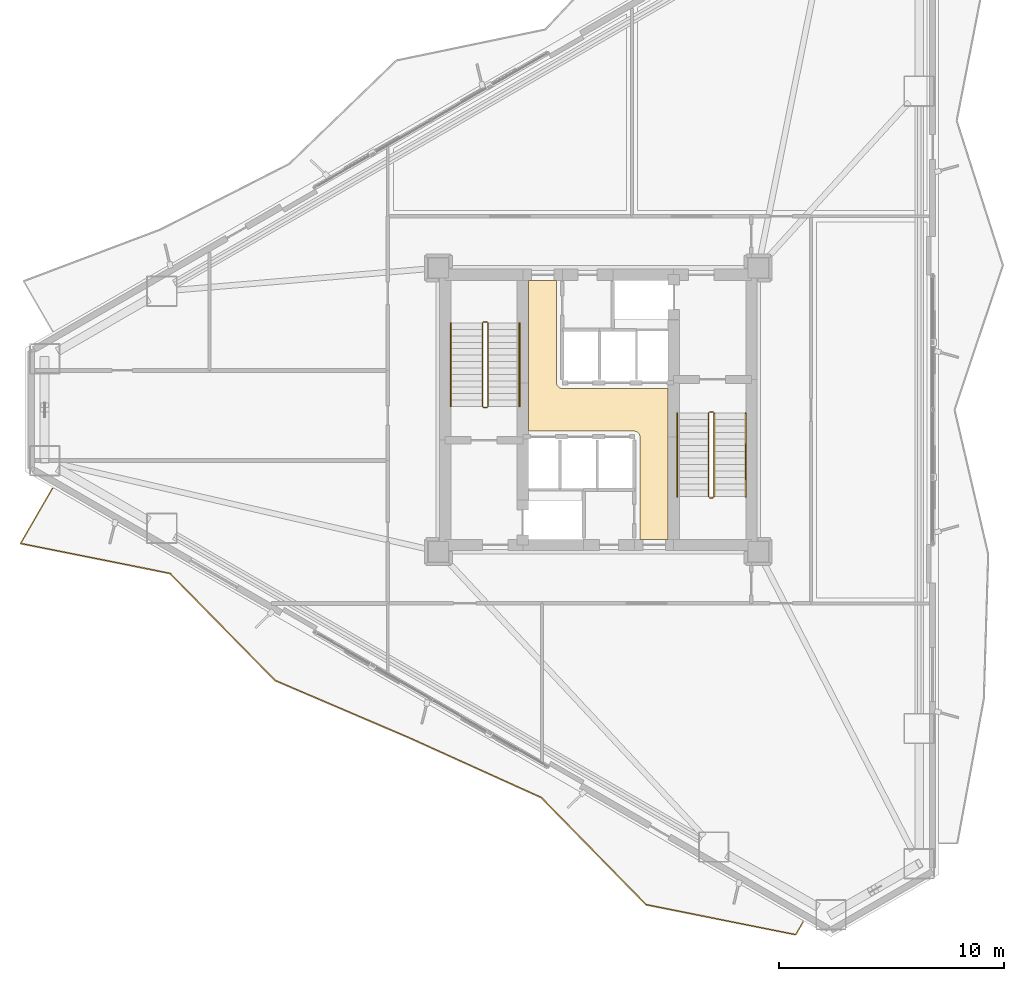
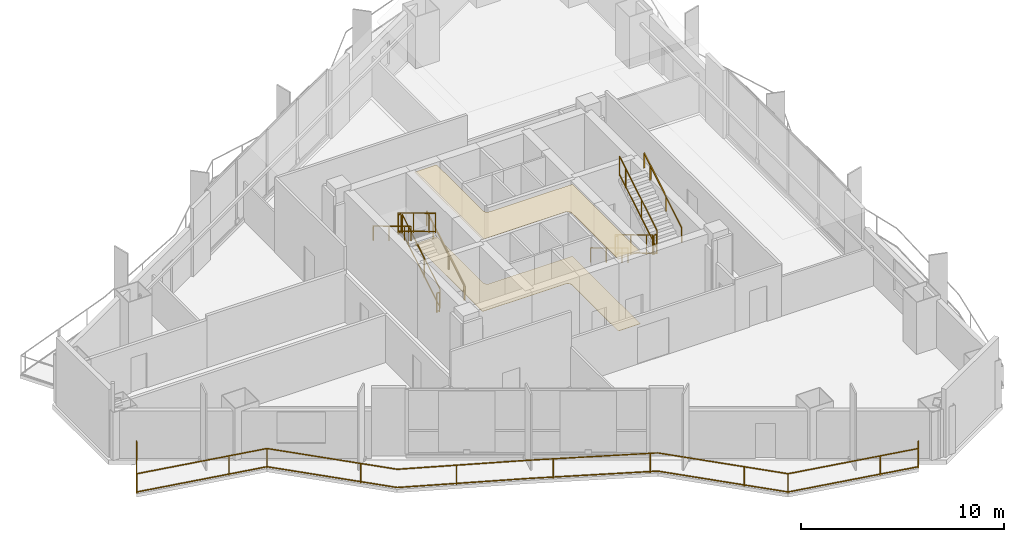
# One storey, part 15 of 16: 13 railings, 2 coverings.
"""IFC4 building model written with IfcOpenShell, lengths in metres."""

import ifcopenshell
import ifcopenshell.guid

model = None  # the IFC model being written
_history = None  # IfcOwnerHistory: only IFC2X3 demands one
_inside = {}  # id of a spatial element -> (the spatial element, [elements in it])
_under = {}  # id of a project, library or spatial element -> (it, [spatial elements below it])
_declared = {}  # id of a project -> (the project, [libraries it declares])
_typed = {}  # id of a type object -> (the type object, [elements of that type])
_made_of = {}  # id of a material, layer set ... -> (it, [elements and type objects made of it])


def new_model(schema):
    """Start an empty IFC model of exactly this schema.

    Asked for "IFC4X3", IfcOpenShell would pick the latest addendum, in which some entities
    have other attributes; the version numbers below select the first issue.
    IFC2X3 requires an IfcOwnerHistory on every rooted entity: one is made here for all.
    """
    global model, _history
    if schema == "IFC4X3":
        model = ifcopenshell.file(schema_version=(4, 3, 0, 0))
    else:
        model = ifcopenshell.file(schema=schema)
    _inside.clear()
    _under.clear()
    _declared.clear()
    _typed.clear()
    _made_of.clear()
    _history = None
    if model.schema == "IFC2X3":
        org = make("IfcOrganization", Name="unknown")
        user = make(
            "IfcPersonAndOrganization",
            ThePerson=make("IfcPerson", FamilyName="unknown"),
            TheOrganization=org,
        )
        app = make(
            "IfcApplication",
            ApplicationDeveloper=org,
            Version="unknown",
            ApplicationFullName="unknown",
            ApplicationIdentifier="unknown",
        )
        _history = make(
            "IfcOwnerHistory",
            OwningUser=user,
            OwningApplication=app,
            ChangeAction="ADDED",
            CreationDate=0,
        )
    return model


def make(cls, **values):
    """One entity of the class cls with the attributes given. An attribute that is None is left unset."""
    return model.create_entity(
        cls, **{name: value for name, value in values.items() if value is not None}
    )


def rooted(cls, **values):
    """An entity with a GlobalId (a new one), such as an element, a storey or a relation."""
    return make(cls, GlobalId=ifcopenshell.guid.new(), OwnerHistory=_history, **values)


def si_unit(unit_type, name, prefix=None):
    """IfcSIUnit, for example si_unit("LENGTHUNIT", "METRE", prefix="MILLI")."""
    return make("IfcSIUnit", UnitType=unit_type, Prefix=prefix, Name=name)


def assignment(units):
    """IfcUnitAssignment: the units of a project."""
    return None if units is None else make("IfcUnitAssignment", Units=units)


def point(xyz):
    """IfcCartesianPoint."""
    return None if xyz is None else make("IfcCartesianPoint", Coordinates=xyz)


def direction(xyz):
    """IfcDirection."""
    return None if xyz is None else make("IfcDirection", DirectionRatios=xyz)


def frame(location, z_axis=None, x_axis=None):
    """IfcAxis2Placement3D, a coordinate frame: its origin and axes. An axis left out is left unset."""
    return make(
        "IfcAxis2Placement3D",
        Location=point(location),
        Axis=direction(z_axis),
        RefDirection=direction(x_axis),
    )


def frame_2d(location, x_axis=None):
    """IfcAxis2Placement2D, a coordinate frame in the plane: its origin and x axis."""
    return make(
        "IfcAxis2Placement2D", Location=point(location), RefDirection=direction(x_axis)
    )


def origin():
    """The frame at (0, 0, 0) with its axes left unset."""
    return frame((0.0, 0.0, 0.0))


def origin_2d():
    """The frame at (0, 0) in the plane with its x axis left unset."""
    return frame_2d((0.0, 0.0))


def place(relative_to, where):
    """IfcLocalPlacement: puts the frame where relative to a parent placement (None: the world)."""
    return make(
        "IfcLocalPlacement", PlacementRelTo=relative_to, RelativePlacement=where
    )


def context(
    kind, dimensions, precision=None, world=None, true_north=None, identifier=None
):
    """IfcGeometricRepresentationContext, for example the 3D "Model" context."""
    return make(
        "IfcGeometricRepresentationContext",
        ContextIdentifier=identifier,
        ContextType=kind,
        CoordinateSpaceDimension=dimensions,
        Precision=precision,
        WorldCoordinateSystem=world,
        TrueNorth=true_north,
    )


def subcontext(parent, identifier, kind, view, scale=None):
    """IfcGeometricRepresentationSubContext, for example "Body" below "Model"."""
    return make(
        "IfcGeometricRepresentationSubContext",
        ContextIdentifier=identifier,
        ContextType=kind,
        ParentContext=parent,
        TargetScale=scale,
        TargetView=view,
    )


def project(units=None, contexts=None):
    """IfcProject with its units and contexts."""
    return rooted(
        "IfcProject",
        Name="project",
        RepresentationContexts=contexts,
        UnitsInContext=assignment(units),
    )


def spatial(cls, under=None, at=None, **own):
    """A site, building, storey or space (cls), placed at a placement, below another one or the project."""
    s = rooted(cls, ObjectPlacement=at, **own)
    if under is not None:
        _under.setdefault(under.id(), (under, []))[1].append(s)
    return s


def polyline(points):
    """IfcPolyline through the points."""
    return make("IfcPolyline", Points=[point(p) for p in points])


def profile(cls, at=None, kind="AREA", **sizes):
    """A parametric profile (cls). Its sizes go by their IFC names, for example OverallWidth=200.0."""
    return make(cls, ProfileType=kind, Position=at, **sizes)


def rectangle(**sizes):
    """IfcRectangleProfileDef."""
    return profile("IfcRectangleProfileDef", **sizes)


def outline(outer, holes=None, kind="AREA"):
    """IfcArbitraryClosedProfileDef: a profile drawn as a closed curve; with holes, ...WithVoids."""
    if holes is None:
        return make("IfcArbitraryClosedProfileDef", ProfileType=kind, OuterCurve=outer)
    return make(
        "IfcArbitraryProfileDefWithVoids",
        ProfileType=kind,
        OuterCurve=outer,
        InnerCurves=holes,
    )


def extrude(swept, where, along, depth):
    """IfcExtrudedAreaSolid: the profile swept, set in the frame where, extruded along a direction by depth."""
    return make(
        "IfcExtrudedAreaSolid",
        SweptArea=swept,
        Position=where,
        ExtrudedDirection=direction(along),
        Depth=depth,
    )


def shape(context_of_items, identifier, shape_type, items):
    """IfcShapeRepresentation: the items that make up one representation, for example the "Body"."""
    return make(
        "IfcShapeRepresentation",
        ContextOfItems=context_of_items,
        RepresentationIdentifier=identifier,
        RepresentationType=shape_type,
        Items=items,
    )


def material(Name=None, Category=None):
    """IfcMaterial."""
    return make("IfcMaterial", Name=Name, Category=Category)


def layer(
    of_material, thickness, ventilated=None, Name=None, Category=None, Priority=None
):
    """IfcMaterialLayer: one layer of a wall or slab, of a material (None: an air gap)."""
    return make(
        "IfcMaterialLayer",
        Material=of_material,
        LayerThickness=thickness,
        IsVentilated=ventilated,
        Name=Name,
        Category=Category,
        Priority=Priority,
    )


def layer_set(layers, Name=None):
    """IfcMaterialLayerSet."""
    return make("IfcMaterialLayerSet", MaterialLayers=layers, LayerSetName=Name)


def made_of(thing, what):
    """Note that an element or type object is made of a material, layer set ...; save() writes the relation."""
    if what is not None:
        _made_of.setdefault(what.id(), (what, []))[1].append(thing)
    return thing


def type_object(cls, material=None, **own):
    """A type object (cls), such as IfcWallType, which elements share."""
    return made_of(rooted(cls, **own), material)


def element(
    cls,
    number,
    at=None,
    inside=None,
    cuts=None,
    type_object=None,
    material=None,
    context=None,
    identifier="Body",
    shape_type=None,
    held_by="IfcProductDefinitionShape",
    body=None,
    shapes=None,
    **own,
):
    """One element of the class cls, such as IfcWall. Its Tag is "e" and its number.

    at: its placement. inside: the storey or other place that contains it. cuts: it is an
    opening in that element (IfcRelVoidsElement). A single representation is given by context,
    identifier, shape_type and body (its items); several are given by shapes. held_by: the class
    of the entity that holds the representations. save() writes the other relations.
    """
    e = rooted(cls, Tag="e%d" % number, ObjectPlacement=at, **own)
    if body is not None:
        shapes = [shape(context, identifier, shape_type, body)]
    if shapes is not None:
        e.Representation = make(held_by, Representations=shapes)
    if inside is not None:
        _inside.setdefault(inside.id(), (inside, []))[1].append(e)
    if cuts is not None:
        rooted(
            "IfcRelVoidsElement", RelatingBuildingElement=cuts, RelatedOpeningElement=e
        )
    if type_object is not None:
        _typed.setdefault(type_object.id(), (type_object, []))[1].append(e)
    return made_of(e, material)


def aggregate(whole, parts):
    """IfcRelAggregates: a whole, such as a stair, and the parts it consists of."""
    return rooted("IfcRelAggregates", RelatingObject=whole, RelatedObjects=parts)


def save(model, path):
    """Write the relations noted so far, then the file.

    IfcRelAggregates (storeys below a building ...), IfcRelContainedInSpatialStructure (elements
    in a storey), IfcRelDefinesByType, IfcRelAssociatesMaterial and IfcRelDeclares: one each for
    every whole, place, type object, material and project.
    """
    for whole, parts in _under.values():
        aggregate(whole, parts)
    for where, things in _inside.values():
        rooted(
            "IfcRelContainedInSpatialStructure",
            RelatedElements=things,
            RelatingStructure=where,
        )
    for kind, things in _typed.values():
        rooted("IfcRelDefinesByType", RelatedObjects=things, RelatingType=kind)
    for what, things in _made_of.values():
        rooted("IfcRelAssociatesMaterial", RelatedObjects=things, RelatingMaterial=what)
    for by, libraries in _declared.values():
        rooted("IfcRelDeclares", RelatingContext=by, RelatedDefinitions=libraries)
    model.write(path)


model = new_model("IFC4")

# Units and contexts
model_context = context("Model", 3, precision=1e-05, world=origin(), true_north=direction((0.0, 1.0)))
body_context = subcontext(model_context, "Body", "Model", "MODEL_VIEW")
ifc_project = project(units=[si_unit("LENGTHUNIT", "METRE"), si_unit("AREAUNIT", "SQUARE_METRE"), si_unit("VOLUMEUNIT", "CUBIC_METRE"), si_unit("PLANEANGLEUNIT", "RADIAN"), si_unit("MASSUNIT", "GRAM", prefix="KILO")], contexts=[model_context])

# Site, building, storey
site_placement = place(None, origin())
site = spatial("IfcSite", under=ifc_project, at=site_placement, CompositionType="ELEMENT")
building_placement = place(site_placement, origin())
building = spatial("IfcBuilding", under=site, at=building_placement, Name="Mersakhor Tower and Convention Hall", CompositionType="ELEMENT")
storey_placement = place(building_placement, frame((0.0, 0.0, 62.10009765625)))
storey = spatial("IfcBuildingStorey", under=building, at=storey_placement, Name="L17", CompositionType="ELEMENT", Elevation=62.10009765625)

# Coverings
ifc_material_1 = material(Name="Acoustic mineral-fibre suspended ceiling", Category="other")
ifc_layer_1 = layer(ifc_material_1, 0.02490234375)
ifc_layer_set_1 = layer_set([ifc_layer_1], Name="Acoustic mineral-fibre suspended ceiling")
covering_type_1 = type_object("IfcCoveringType", Name="COV-CLG-25", PredefinedType="CEILING", material=ifc_layer_set_1)
covering_1_placement = place(storey_placement, frame((0.0, 0.0, 4.31982421875)))
element("IfcCovering", 1, at=covering_1_placement, inside=storey, type_object=covering_type_1, Name="L17 Central Passenger Lift Lobby Acoustic Suspended Ceiling", PredefinedType="CEILING", context=body_context, shape_type="SweptSolid", body=[
    extrude(outline(polyline([(30.85009765625, 21.0), (30.85009765625, 25.550048828125), (30.848876953125, 25.574462890625), (30.84521484375, 25.598876953125), (30.839111328125, 25.62255859375), (30.8310546875, 25.645751953125), (30.820556640625, 25.667724609375), (30.807861328125, 25.68896484375), (30.793212890625, 25.70849609375), (30.77685546875, 25.726806640625), (30.758544921875, 25.743408203125), (30.739013671875, 25.7578125), (30.7177734375, 25.7705078125), (30.69580078125, 25.781005859375), (30.672607421875, 25.789306640625), (30.648681640625, 25.795166015625), (30.62451171875, 25.798828125), (30.60009765625, 25.800048828125), (25.89990234375, 25.800048828125), (25.89990234375, 32.5), (27.14990234375, 32.5), (27.14990234375, 27.949951171875), (27.151123046875, 27.925537109375), (27.15478515625, 27.901123046875), (27.160888671875, 27.87744140625), (27.1689453125, 27.854248046875), (27.179443359375, 27.832275390625), (27.192138671875, 27.81103515625), (27.206787109375, 27.79150390625), (27.22314453125, 27.773193359375), (27.241455078125, 27.756591796875), (27.260986328125, 27.7421875), (27.2822265625, 27.7294921875), (27.30419921875, 27.718994140625), (27.327392578125, 27.710693359375), (27.351318359375, 27.704833984375), (27.37548828125, 27.701171875), (27.39990234375, 27.699951171875), (32.10009765625, 27.699951171875), (32.10009765625, 21.0), (30.85009765625, 21.0)])), origin(), (0.0, 0.0, 1.0), 0.025146484375),
])
ifc_material_2 = material(Name="Polished porcelain tile flooring", Category="other")
ifc_layer_2 = layer(ifc_material_2, 0.02001953125)
ifc_layer_set_2 = layer_set([ifc_layer_2], Name="Polished porcelain tile flooring")
covering_type_2 = type_object("IfcCoveringType", Name="COV-FLR-20", PredefinedType="FLOORING", material=ifc_layer_set_2)
covering_2_placement = place(storey_placement, origin())
element("IfcCovering", 2, at=covering_2_placement, inside=storey, type_object=covering_type_2, Name="L17 Central Passenger Lift Lobby Porcelain Floor Finish", PredefinedType="FLOORING", context=body_context, shape_type="SweptSolid", body=[
    extrude(outline(polyline([(30.85009765625, 21.0), (30.85009765625, 25.550048828125), (30.848876953125, 25.574462890625), (30.84521484375, 25.598876953125), (30.839111328125, 25.62255859375), (30.8310546875, 25.645751953125), (30.820556640625, 25.667724609375), (30.807861328125, 25.68896484375), (30.793212890625, 25.70849609375), (30.77685546875, 25.726806640625), (30.758544921875, 25.743408203125), (30.739013671875, 25.7578125), (30.7177734375, 25.7705078125), (30.69580078125, 25.781005859375), (30.672607421875, 25.789306640625), (30.648681640625, 25.795166015625), (30.62451171875, 25.798828125), (30.60009765625, 25.800048828125), (25.89990234375, 25.800048828125), (25.89990234375, 32.5), (27.14990234375, 32.5), (27.14990234375, 27.949951171875), (27.151123046875, 27.925537109375), (27.15478515625, 27.901123046875), (27.160888671875, 27.87744140625), (27.1689453125, 27.854248046875), (27.179443359375, 27.832275390625), (27.192138671875, 27.81103515625), (27.206787109375, 27.79150390625), (27.22314453125, 27.773193359375), (27.241455078125, 27.756591796875), (27.260986328125, 27.7421875), (27.2822265625, 27.7294921875), (27.30419921875, 27.718994140625), (27.327392578125, 27.710693359375), (27.351318359375, 27.704833984375), (27.37548828125, 27.701171875), (27.39990234375, 27.699951171875), (32.10009765625, 27.699951171875), (32.10009765625, 21.0), (30.85009765625, 21.0)])), origin(), (0.0, 0.0, 1.0), 0.02001953125),
])

# Railings
ifc_material_3 = material(Name="Powder-coated galvanised steel and laminated glass balustrade", Category="steel")
railing_type_1 = type_object("IfcRailingType", Name="RL-BAL-1200", PredefinedType="BALUSTRADE", material=ifc_material_3)
railing_1_placement = place(storey_placement, frame((4.75048828125, 23.256591796875, 0.0)))
element("IfcRailing", 3, at=railing_1_placement, inside=storey, type_object=railing_type_1, Name="L17 Sinusoidal Balcony Balustrade F3", PredefinedType="BALUSTRADE", context=body_context, shape_type="SweptSolid", body=[
    extrude(rectangle(XDim=0.048095703125, YDim=0.048095703125, at=origin_2d()), frame((0.0, 0.0, 1.17578125), z_axis=(-0.499984757355, -0.866034203951, 0.0), x_axis=(0.866034203951, -0.499984757355, 0.0)), (0.0, 0.0, 1.0), 2.81982421875),
    extrude(rectangle(XDim=0.048095703125, YDim=0.048095703125, at=origin_2d()), frame((0.0, 0.0, 0.080078125), z_axis=(-0.499984757355, -0.866034203951, 0.0), x_axis=(0.866034203951, -0.499984757355, 0.0)), (0.0, 0.0, 1.0), 2.81982421875),
    extrude(rectangle(XDim=0.048095703125, YDim=0.048095703125, at=origin_2d()), frame((-1.409912109375, -2.442138671875, 1.17578125), z_axis=(0.980552945517, -0.196254735071, 0.0), x_axis=(0.196254735071, 0.980552945517, 0.0)), (0.0, 0.0, 1.0), 6.77490234375),
    extrude(rectangle(XDim=0.048095703125, YDim=0.048095703125, at=origin_2d()), frame((-1.409912109375, -2.442138671875, 0.080078125), z_axis=(0.980552945517, -0.196254735071, 0.0), x_axis=(0.196254735071, 0.980552945517, 0.0)), (0.0, 0.0, 1.0), 6.77490234375),
    extrude(rectangle(XDim=0.048095703125, YDim=0.048095703125, at=origin_2d()), frame((5.233154296875, -3.771728515625, 1.17578125), z_axis=(0.70040514428, -0.713745496565, 0.0), x_axis=(0.713745496565, 0.70040514428, 0.0)), (0.0, 0.0, 1.0), 6.66162109375),
    extrude(rectangle(XDim=0.048095703125, YDim=0.048095703125, at=origin_2d()), frame((5.233154296875, -3.771728515625, 0.080078125), z_axis=(0.70040514428, -0.713745496565, 0.0), x_axis=(0.713745496565, 0.70040514428, 0.0)), (0.0, 0.0, 1.0), 6.66162109375),
    extrude(rectangle(XDim=0.048095703125, YDim=0.048095703125, at=origin_2d()), frame((9.89892578125, -8.5263671875, 1.17578125), z_axis=(0.919572289309, -0.392920863196, 0.0), x_axis=(0.392920863196, 0.919572289309, 0.0)), (0.0, 0.0, 1.0), 6.464599609375),
    extrude(rectangle(XDim=0.048095703125, YDim=0.048095703125, at=origin_2d()), frame((9.89892578125, -8.5263671875, 0.080078125), z_axis=(0.919572289309, -0.392920863196, 0.0), x_axis=(0.392920863196, 0.919572289309, 0.0)), (0.0, 0.0, 1.0), 6.464599609375),
    extrude(rectangle(XDim=0.048095703125, YDim=0.048095703125, at=origin_2d()), frame((15.843505859375, -11.06640625, 1.17578125), z_axis=(0.911071702607, -0.412247926264, 0.0), x_axis=(0.412247926264, 0.911071702607, 0.0)), (0.0, 0.0, 1.0), 6.44921875),
    extrude(rectangle(XDim=0.048095703125, YDim=0.048095703125, at=origin_2d()), frame((15.843505859375, -11.06640625, 0.080078125), z_axis=(0.911071702607, -0.412247926264, 0.0), x_axis=(0.412247926264, 0.911071702607, 0.0)), (0.0, 0.0, 1.0), 6.44921875),
    extrude(rectangle(XDim=0.048095703125, YDim=0.048095703125, at=origin_2d()), frame((21.71923828125, -13.72509765625, 1.17578125), z_axis=(0.699537892373, -0.714595505957, 0.0), x_axis=(0.714595505957, 0.699537892373, 0.0)), (0.0, 0.0, 1.0), 6.663818359375),
    extrude(rectangle(XDim=0.048095703125, YDim=0.048095703125, at=origin_2d()), frame((21.71923828125, -13.72509765625, 0.080078125), z_axis=(0.699537892373, -0.714595505957, 0.0), x_axis=(0.714595505957, 0.699537892373, 0.0)), (0.0, 0.0, 1.0), 6.663818359375),
    extrude(rectangle(XDim=0.048095703125, YDim=0.048095703125, at=origin_2d()), frame((26.380859375, -18.487060546875, 1.17578125), z_axis=(0.980546010158, -0.196289383217, 0.0), x_axis=(0.196289383217, 0.980546010158, 0.0)), (0.0, 0.0, 1.0), 6.77490234375),
    extrude(rectangle(XDim=0.048095703125, YDim=0.048095703125, at=origin_2d()), frame((26.380859375, -18.487060546875, 0.080078125), z_axis=(0.980546010158, -0.196289383217, 0.0), x_axis=(0.196289383217, 0.980546010158, 0.0)), (0.0, 0.0, 1.0), 6.77490234375),
    extrude(rectangle(XDim=0.048095703125, YDim=0.048095703125, at=origin_2d()), frame((33.02392578125, -19.81689453125, 1.17578125), z_axis=(0.50017749597, 0.865922902183, 0.0), x_axis=(-0.865922902183, 0.50017749597, 0.0)), (0.0, 0.0, 1.0), 0.650146484375),
    extrude(rectangle(XDim=0.048095703125, YDim=0.048095703125, at=origin_2d()), frame((33.02392578125, -19.81689453125, 0.080078125), z_axis=(0.50017749597, 0.865922902183, 0.0), x_axis=(-0.865922902183, 0.50017749597, 0.0)), (0.0, 0.0, 1.0), 0.650146484375),
    extrude(rectangle(XDim=0.0419921875, YDim=0.0419921875, at=origin_2d()), origin(), (0.0, 0.0, 1.0), 1.15185546875),
    extrude(rectangle(XDim=0.0419921875, YDim=0.0419921875, at=origin_2d()), frame((-1.409912109375, -2.442138671875, 0.0)), (0.0, 0.0, 1.0), 1.15185546875),
    extrude(rectangle(XDim=0.0419921875, YDim=0.0419921875, at=origin_2d()), frame((3.296630859375, -3.38427734375, 0.0)), (0.0, 0.0, 1.0), 1.15185546875),
    extrude(rectangle(XDim=0.0419921875, YDim=0.0419921875, at=origin_2d()), frame((5.233154296875, -3.771728515625, 0.0)), (0.0, 0.0, 1.0), 1.15185546875),
    extrude(rectangle(XDim=0.0419921875, YDim=0.0419921875, at=origin_2d()), frame((8.59521484375, -7.19775390625, 0.0)), (0.0, 0.0, 1.0), 1.15185546875),
    extrude(rectangle(XDim=0.0419921875, YDim=0.0419921875, at=origin_2d()), frame((12.60107421875, -9.680908203125, 0.0)), (0.0, 0.0, 1.0), 1.15185546875),
    extrude(rectangle(XDim=0.0419921875, YDim=0.0419921875, at=origin_2d()), frame((17.004150390625, -11.591552734375, 0.0)), (0.0, 0.0, 1.0), 1.15185546875),
    extrude(rectangle(XDim=0.0419921875, YDim=0.0419921875, at=origin_2d()), frame((21.37744140625, -13.5703125, 0.0)), (0.0, 0.0, 1.0), 1.15185546875),
    extrude(rectangle(XDim=0.0419921875, YDim=0.0419921875, at=origin_2d()), frame((24.814453125, -16.886962890625, 0.0)), (0.0, 0.0, 1.0), 1.15185546875),
    extrude(rectangle(XDim=0.0419921875, YDim=0.0419921875, at=origin_2d()), frame((26.380859375, -18.487060546875, 0.0)), (0.0, 0.0, 1.0), 1.15185546875),
    extrude(rectangle(XDim=0.0419921875, YDim=0.0419921875, at=origin_2d()), frame((31.08740234375, -19.42919921875, 0.0)), (0.0, 0.0, 1.0), 1.15185546875),
    extrude(rectangle(XDim=0.0419921875, YDim=0.0419921875, at=origin_2d()), frame((33.02392578125, -19.81689453125, 0.0)), (0.0, 0.0, 1.0), 1.15185546875),
    extrude(rectangle(XDim=0.0419921875, YDim=0.0419921875, at=origin_2d()), frame((33.34912109375, -19.25390625, 0.0)), (0.0, 0.0, 1.0), 1.15185546875),
])
ifc_material_4 = material(Name="Brushed stainless steel handrail", Category="steel")
railing_type_2 = type_object("IfcRailingType", Name="RL-HR-900", PredefinedType="HANDRAIL", material=ifc_material_4)
railing_2_placement = place(storey_placement, frame((25.5, 26.89990234375, 0.17138671875)))
element("IfcRailing", 4, at=railing_2_placement, inside=storey, type_object=railing_type_2, Name="L17 ST-1 stair handrail 1", PredefinedType="HANDRAIL", context=body_context, shape_type="SweptSolid", body=[
    extrude(rectangle(XDim=0.048095703125, YDim=0.048095703125, at=origin_2d()), frame((0.0, 0.0, 0.8759765625), z_axis=(0.0, 0.856934400257, 0.515425487977), x_axis=(-1.0, 0.0, 0.0)), (0.0, 0.0, 1.0), 4.32373046875),
    extrude(rectangle(XDim=0.0419921875, YDim=0.0419921875, at=origin_2d()), origin(), (0.0, 0.0, 1.0), 0.851806640625),
    extrude(rectangle(XDim=0.0419921875, YDim=0.0419921875, at=origin_2d()), frame((0.0, 1.54248046875, 0.927734375)), (0.0, 0.0, 1.0), 0.851806640625),
    extrude(rectangle(XDim=0.0419921875, YDim=0.0419921875, at=origin_2d()), frame((0.0, 3.0849609375, 1.85546875)), (0.0, 0.0, 1.0), 0.851806640625),
    extrude(rectangle(XDim=0.0419921875, YDim=0.0419921875, at=origin_2d()), frame((0.0, 3.705078125, 2.228515625)), (0.0, 0.0, 1.0), 0.851806640625),
])
for number, where, name in (
    (5, (22.449951171875, 30.60498046875, 2.5712890625), "L17 ST-1 stair handrail 2"),
    (6, (32.5, 26.60009765625, 0.17138671875), "L17 ST-2 stair handrail 1"),
):
    element("IfcRailing", number, at=place(storey_placement, frame(where)), inside=storey, type_object=railing_type_2, Name=name, PredefinedType="HANDRAIL", context=body_context, shape_type="SweptSolid", body=[
        extrude(rectangle(XDim=0.048095703125, YDim=0.048095703125, at=origin_2d()), frame((0.0, 0.0, 0.8759765625), z_axis=(0.0, -0.856934400257, 0.515425487977), x_axis=(1.0, 0.0, 0.0)), (0.0, 0.0, 1.0), 4.32373046875),
        extrude(rectangle(XDim=0.0419921875, YDim=0.0419921875, at=origin_2d()), origin(), (0.0, 0.0, 1.0), 0.851806640625),
        extrude(rectangle(XDim=0.0419921875, YDim=0.0419921875, at=origin_2d()), frame((0.0, -1.54248046875, 0.927734375)), (0.0, 0.0, 1.0), 0.851806640625),
        extrude(rectangle(XDim=0.0419921875, YDim=0.0419921875, at=origin_2d()), frame((0.0, -3.0849609375, 1.85546875)), (0.0, 0.0, 1.0), 0.851806640625),
        extrude(rectangle(XDim=0.0419921875, YDim=0.0419921875, at=origin_2d()), frame((0.0, -3.705078125, 2.228515625)), (0.0, 0.0, 1.0), 0.851806640625),
    ])
railing_3_placement = place(storey_placement, frame((35.550048828125, 22.89501953125, 2.5712890625)))
element("IfcRailing", 7, at=railing_3_placement, inside=storey, type_object=railing_type_2, Name="L17 ST-2 stair handrail 2", PredefinedType="HANDRAIL", context=body_context, shape_type="SweptSolid", body=[
    extrude(rectangle(XDim=0.048095703125, YDim=0.048095703125, at=origin_2d()), frame((0.0, 0.0, 0.8759765625), z_axis=(0.0, 0.856934400257, 0.515425487977), x_axis=(-1.0, 0.0, 0.0)), (0.0, 0.0, 1.0), 4.32373046875),
    extrude(rectangle(XDim=0.0419921875, YDim=0.0419921875, at=origin_2d()), origin(), (0.0, 0.0, 1.0), 0.851806640625),
    extrude(rectangle(XDim=0.0419921875, YDim=0.0419921875, at=origin_2d()), frame((0.0, 1.54248046875, 0.927734375)), (0.0, 0.0, 1.0), 0.851806640625),
    extrude(rectangle(XDim=0.0419921875, YDim=0.0419921875, at=origin_2d()), frame((0.0, 3.0849609375, 1.85546875)), (0.0, 0.0, 1.0), 0.851806640625),
    extrude(rectangle(XDim=0.0419921875, YDim=0.0419921875, at=origin_2d()), frame((0.0, 3.705078125, 2.228515625)), (0.0, 0.0, 1.0), 0.851806640625),
])
ifc_material_5 = material(Name="Painted steel stair balustrade S355", Category="steel")
railing_type_3 = type_object("IfcRailingType", Name="RL-STG-1200", PredefinedType="BALUSTRADE", material=ifc_material_5)
railing_4_placement = place(storey_placement, frame((24.10009765625, 26.89990234375, 0.17138671875)))
element("IfcRailing", 8, at=railing_4_placement, inside=storey, type_object=railing_type_3, Name="L17 ST-1 stair guard 1", PredefinedType="BALUSTRADE", context=body_context, shape_type="SweptSolid", body=[
    extrude(rectangle(XDim=0.048095703125, YDim=0.048095703125, at=origin_2d()), frame((0.0, 0.0, 1.17578125), z_axis=(0.0, 0.856934400257, 0.515425487977), x_axis=(-1.0, 0.0, 0.0)), (0.0, 0.0, 1.0), 4.32373046875),
    extrude(rectangle(XDim=0.048095703125, YDim=0.048095703125, at=origin_2d()), frame((0.0, 0.0, 0.080078125), z_axis=(0.0, 0.856934400257, 0.515425487977), x_axis=(-1.0, 0.0, 0.0)), (0.0, 0.0, 1.0), 4.32373046875),
    extrude(rectangle(XDim=0.0419921875, YDim=0.0419921875, at=origin_2d()), origin(), (0.0, 0.0, 1.0), 1.15185546875),
    extrude(rectangle(XDim=0.0419921875, YDim=0.0419921875, at=origin_2d()), frame((0.0, 1.54248046875, 0.927734375)), (0.0, 0.0, 1.0), 1.15185546875),
    extrude(rectangle(XDim=0.0419921875, YDim=0.0419921875, at=origin_2d()), frame((0.0, 3.0849609375, 1.85546875)), (0.0, 0.0, 1.0), 1.15185546875),
    extrude(rectangle(XDim=0.0419921875, YDim=0.0419921875, at=origin_2d()), frame((0.0, 3.705078125, 2.228515625)), (0.0, 0.0, 1.0), 1.15185546875),
])
railing_5_placement = place(storey_placement, frame((24.050048828125, 30.655029296875, 2.39990234375)))
element("IfcRailing", 9, at=railing_5_placement, inside=storey, type_object=railing_type_3, Name="L17 ST-1 stair guard 2", PredefinedType="BALUSTRADE", context=body_context, shape_type="SweptSolid", body=[
    extrude(rectangle(XDim=0.048095703125, YDim=0.048095703125, at=origin_2d()), frame((0.0, 0.0, 1.17578125), z_axis=(-1.0, 0.0, 0.0), x_axis=(0.0, -1.0, 0.0)), (0.0, 0.0, 1.0), 0.150146484375),
    extrude(rectangle(XDim=0.048095703125, YDim=0.048095703125, at=origin_2d()), frame((0.0, 0.0, 0.080078125), z_axis=(-1.0, 0.0, 0.0), x_axis=(0.0, -1.0, 0.0)), (0.0, 0.0, 1.0), 0.150146484375),
    extrude(rectangle(XDim=0.0419921875, YDim=0.0419921875, at=origin_2d()), origin(), (0.0, 0.0, 1.0), 1.15185546875),
    extrude(rectangle(XDim=0.0419921875, YDim=0.0419921875, at=origin_2d()), frame((-0.150146484375, 0.0, 0.0)), (0.0, 0.0, 1.0), 1.15185546875),
])
railing_6_placement = place(storey_placement, frame((23.85009765625, 30.60498046875, 2.5712890625)))
element("IfcRailing", 10, at=railing_6_placement, inside=storey, type_object=railing_type_3, Name="L17 ST-1 stair guard 3", PredefinedType="BALUSTRADE", context=body_context, shape_type="SweptSolid", body=[
    extrude(rectangle(XDim=0.048095703125, YDim=0.048095703125, at=origin_2d()), frame((0.0, 0.0, 1.17578125), z_axis=(0.0, -0.856934400257, 0.515425487977), x_axis=(1.0, 0.0, 0.0)), (0.0, 0.0, 1.0), 4.32373046875),
    extrude(rectangle(XDim=0.048095703125, YDim=0.048095703125, at=origin_2d()), frame((0.0, 0.0, 0.080078125), z_axis=(0.0, -0.856934400257, 0.515425487977), x_axis=(1.0, 0.0, 0.0)), (0.0, 0.0, 1.0), 4.32373046875),
    extrude(rectangle(XDim=0.0419921875, YDim=0.0419921875, at=origin_2d()), origin(), (0.0, 0.0, 1.0), 1.15185546875),
    extrude(rectangle(XDim=0.0419921875, YDim=0.0419921875, at=origin_2d()), frame((0.0, -1.54248046875, 0.927734375)), (0.0, 0.0, 1.0), 1.15185546875),
    extrude(rectangle(XDim=0.0419921875, YDim=0.0419921875, at=origin_2d()), frame((0.0, -3.0849609375, 1.85546875)), (0.0, 0.0, 1.0), 1.15185546875),
    extrude(rectangle(XDim=0.0419921875, YDim=0.0419921875, at=origin_2d()), frame((0.0, -3.705078125, 2.228515625)), (0.0, 0.0, 1.0), 1.15185546875),
])
railing_7_placement = place(storey_placement, frame((24.050048828125, 26.85009765625, 0.0)))
element("IfcRailing", 11, at=railing_7_placement, inside=storey, type_object=railing_type_3, Name="L17 ST-1 stair guard 4", PredefinedType="BALUSTRADE", context=body_context, shape_type="SweptSolid", body=[
    extrude(rectangle(XDim=0.048095703125, YDim=0.048095703125, at=origin_2d()), frame((0.0, 0.0, 1.17578125), z_axis=(-1.0, 0.0, 0.0), x_axis=(0.0, -1.0, 0.0)), (0.0, 0.0, 1.0), 0.150146484375),
    extrude(rectangle(XDim=0.048095703125, YDim=0.048095703125, at=origin_2d()), frame((0.0, 0.0, 0.080078125), z_axis=(-1.0, 0.0, 0.0), x_axis=(0.0, -1.0, 0.0)), (0.0, 0.0, 1.0), 0.150146484375),
    extrude(rectangle(XDim=0.0419921875, YDim=0.0419921875, at=origin_2d()), origin(), (0.0, 0.0, 1.0), 1.15185546875),
    extrude(rectangle(XDim=0.0419921875, YDim=0.0419921875, at=origin_2d()), frame((-0.150146484375, 0.0, 0.0)), (0.0, 0.0, 1.0), 1.15185546875),
])
railing_8_placement = place(storey_placement, frame((33.89990234375, 26.60009765625, 0.17138671875)))
element("IfcRailing", 12, at=railing_8_placement, inside=storey, type_object=railing_type_3, Name="L17 ST-2 stair guard 1", PredefinedType="BALUSTRADE", context=body_context, shape_type="SweptSolid", body=[
    extrude(rectangle(XDim=0.048095703125, YDim=0.048095703125, at=origin_2d()), frame((0.0, 0.0, 1.17578125), z_axis=(0.0, -0.856934400257, 0.515425487977), x_axis=(1.0, 0.0, 0.0)), (0.0, 0.0, 1.0), 4.32373046875),
    extrude(rectangle(XDim=0.048095703125, YDim=0.048095703125, at=origin_2d()), frame((0.0, 0.0, 0.080078125), z_axis=(0.0, -0.856934400257, 0.515425487977), x_axis=(1.0, 0.0, 0.0)), (0.0, 0.0, 1.0), 4.32373046875),
    extrude(rectangle(XDim=0.0419921875, YDim=0.0419921875, at=origin_2d()), origin(), (0.0, 0.0, 1.0), 1.15185546875),
    extrude(rectangle(XDim=0.0419921875, YDim=0.0419921875, at=origin_2d()), frame((0.0, -1.54248046875, 0.927734375)), (0.0, 0.0, 1.0), 1.15185546875),
    extrude(rectangle(XDim=0.0419921875, YDim=0.0419921875, at=origin_2d()), frame((0.0, -3.0849609375, 1.85546875)), (0.0, 0.0, 1.0), 1.15185546875),
    extrude(rectangle(XDim=0.0419921875, YDim=0.0419921875, at=origin_2d()), frame((0.0, -3.705078125, 2.228515625)), (0.0, 0.0, 1.0), 1.15185546875),
])
railing_9_placement = place(storey_placement, frame((33.949951171875, 22.844970703125, 2.39990234375)))
element("IfcRailing", 13, at=railing_9_placement, inside=storey, type_object=railing_type_3, Name="L17 ST-2 stair guard 2", PredefinedType="BALUSTRADE", context=body_context, shape_type="SweptSolid", body=[
    extrude(rectangle(XDim=0.048095703125, YDim=0.048095703125, at=origin_2d()), frame((0.0, 0.0, 1.17578125), z_axis=(1.0, 0.0, 0.0), x_axis=(0.0, 1.0, 0.0)), (0.0, 0.0, 1.0), 0.150146484375),
    extrude(rectangle(XDim=0.048095703125, YDim=0.048095703125, at=origin_2d()), frame((0.0, 0.0, 0.080078125), z_axis=(1.0, 0.0, 0.0), x_axis=(0.0, 1.0, 0.0)), (0.0, 0.0, 1.0), 0.150146484375),
    extrude(rectangle(XDim=0.0419921875, YDim=0.0419921875, at=origin_2d()), origin(), (0.0, 0.0, 1.0), 1.15185546875),
    extrude(rectangle(XDim=0.0419921875, YDim=0.0419921875, at=origin_2d()), frame((0.150146484375, 0.0, 0.0)), (0.0, 0.0, 1.0), 1.15185546875),
])
railing_10_placement = place(storey_placement, frame((34.14990234375, 22.89501953125, 2.5712890625)))
element("IfcRailing", 14, at=railing_10_placement, inside=storey, type_object=railing_type_3, Name="L17 ST-2 stair guard 3", PredefinedType="BALUSTRADE", context=body_context, shape_type="SweptSolid", body=[
    extrude(rectangle(XDim=0.048095703125, YDim=0.048095703125, at=origin_2d()), frame((0.0, 0.0, 1.17578125), z_axis=(0.0, 0.856934400257, 0.515425487977), x_axis=(-1.0, 0.0, 0.0)), (0.0, 0.0, 1.0), 4.32373046875),
    extrude(rectangle(XDim=0.048095703125, YDim=0.048095703125, at=origin_2d()), frame((0.0, 0.0, 0.080078125), z_axis=(0.0, 0.856934400257, 0.515425487977), x_axis=(-1.0, 0.0, 0.0)), (0.0, 0.0, 1.0), 4.32373046875),
    extrude(rectangle(XDim=0.0419921875, YDim=0.0419921875, at=origin_2d()), origin(), (0.0, 0.0, 1.0), 1.15185546875),
    extrude(rectangle(XDim=0.0419921875, YDim=0.0419921875, at=origin_2d()), frame((0.0, 1.54248046875, 0.927734375)), (0.0, 0.0, 1.0), 1.15185546875),
    extrude(rectangle(XDim=0.0419921875, YDim=0.0419921875, at=origin_2d()), frame((0.0, 3.0849609375, 1.85546875)), (0.0, 0.0, 1.0), 1.15185546875),
    extrude(rectangle(XDim=0.0419921875, YDim=0.0419921875, at=origin_2d()), frame((0.0, 3.705078125, 2.228515625)), (0.0, 0.0, 1.0), 1.15185546875),
])
railing_11_placement = place(storey_placement, frame((33.949951171875, 26.64990234375, 0.0)))
element("IfcRailing", 15, at=railing_11_placement, inside=storey, type_object=railing_type_3, Name="L17 ST-2 stair guard 4", PredefinedType="BALUSTRADE", context=body_context, shape_type="SweptSolid", body=[
    extrude(rectangle(XDim=0.048095703125, YDim=0.048095703125, at=origin_2d()), frame((0.0, 0.0, 1.17578125), z_axis=(1.0, 0.0, 0.0), x_axis=(0.0, 1.0, 0.0)), (0.0, 0.0, 1.0), 0.150146484375),
    extrude(rectangle(XDim=0.048095703125, YDim=0.048095703125, at=origin_2d()), frame((0.0, 0.0, 0.080078125), z_axis=(1.0, 0.0, 0.0), x_axis=(0.0, 1.0, 0.0)), (0.0, 0.0, 1.0), 0.150146484375),
    extrude(rectangle(XDim=0.0419921875, YDim=0.0419921875, at=origin_2d()), origin(), (0.0, 0.0, 1.0), 1.15185546875),
    extrude(rectangle(XDim=0.0419921875, YDim=0.0419921875, at=origin_2d()), frame((0.150146484375, 0.0, 0.0)), (0.0, 0.0, 1.0), 1.15185546875),
])

save(model, "model.ifc")
